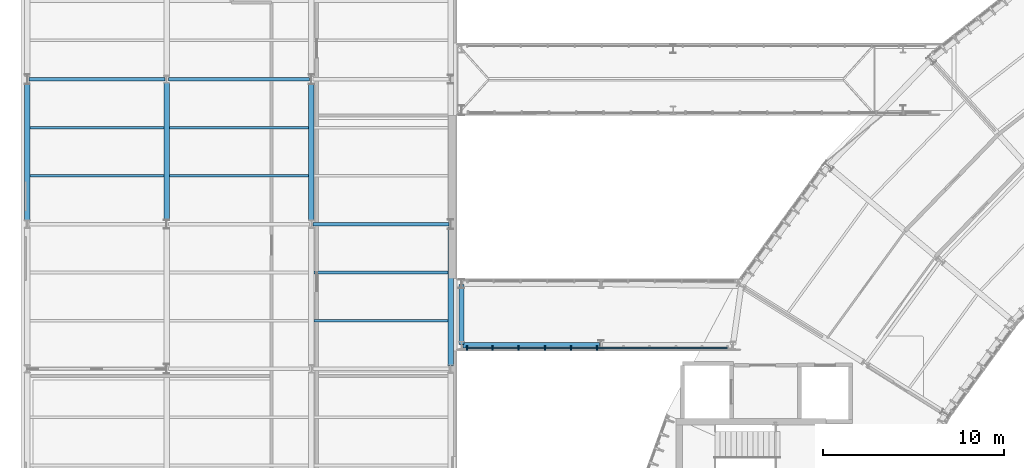
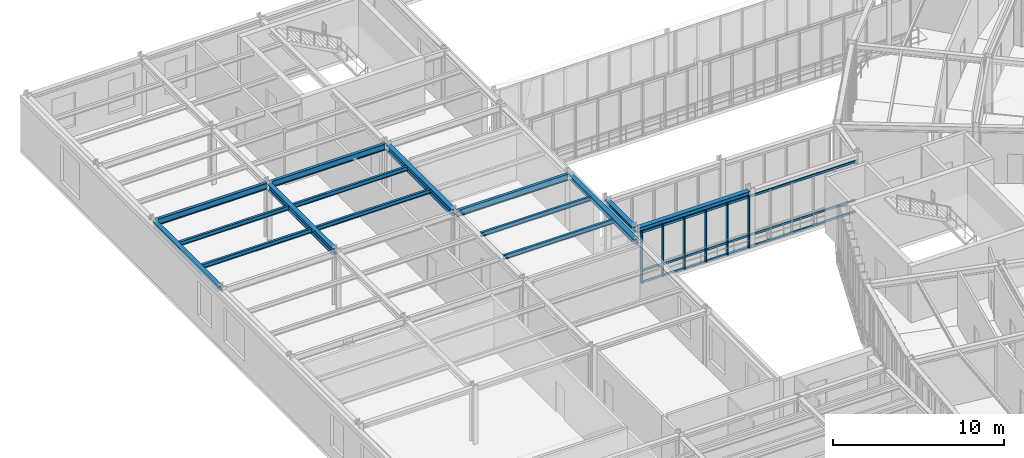
# One storey, part 13 of 57: 15 beams, 9 members, 1 element without a shape of its own.
"""IFC4 building model written with IfcOpenShell, lengths in metres."""

from ifc_helpers import new_model, si_unit, direction, frame, origin, origin_2d, place, context, subcontext, project, spatial, rectangle, i_section, extrude, material, layer, layer_set, material_profile, profile_set, type_object, element, aggregate, save


model = new_model("IFC4")

# Units and contexts
model_context = context("Model", 3, precision=1e-05, world=origin(), true_north=direction((0.0, 1.0)))
body_context = subcontext(model_context, "Body", "Model", "MODEL_VIEW")
ifc_project = project(units=[si_unit("LENGTHUNIT", "METRE"), si_unit("AREAUNIT", "SQUARE_METRE"), si_unit("VOLUMEUNIT", "CUBIC_METRE"), si_unit("PLANEANGLEUNIT", "RADIAN"), si_unit("MASSUNIT", "GRAM", prefix="KILO"), si_unit("THERMODYNAMICTEMPERATUREUNIT", "KELVIN"), si_unit("POWERUNIT", "WATT")], contexts=[model_context])

# Site, building, storey
site_placement = place(None, origin())
site = spatial("IfcSite", under=ifc_project, at=site_placement, CompositionType="ELEMENT")
building_placement = place(site_placement, origin())
building = spatial("IfcBuilding", under=site, at=building_placement, Name="Solvatero Civic Police Headquarters", CompositionType="ELEMENT")
storey_placement = place(building_placement, frame((0.0, 0.0, 9.300048828125)))
storey = spatial("IfcBuildingStorey", under=building, at=storey_placement, Name="L02", CompositionType="ELEMENT", Elevation=9.300048828125)

# Beams
ifc_material_1 = material(Name="Steel S355", Category="steel")
ifc_material_profile_1 = material_profile(ifc_material_1, i_section(OverallWidth=0.300048828125, OverallDepth=0.31005859375, WebThickness=0.009033203125, FlangeThickness=0.015380859375, FilletRadius=0.027099609375, at=origin_2d()), Name="HEA 320")
ifc_profile_set_1 = profile_set([ifc_material_profile_1], Name="Steel S355")
beam_type_1 = type_object("IfcBeamType", Name="BM-ST-HEA320", PredefinedType="SPANDREL", material=ifc_profile_set_1)
for number, where, z_axis, x_axis, name in (
    (1, (4.800048828125, 60.659912109375, 3.844970703125), (0.0, 1.0, 0.0), (-1.0, 0.0, 0.0), "Perimeter / radial spandrel beam BM-R2-L02-V6-GY-1-3"),
    (2, (28.199951171875, 52.659912109375, 3.844970703125), (0.0, 1.0, 0.0), (-1.0, 0.0, 0.0), "Perimeter / radial spandrel beam BM-R2-L02-V6-GY-4-2"),
):
    element("IfcBeam", number, at=place(storey_placement, frame(where, z_axis=z_axis, x_axis=x_axis)), inside=storey, type_object=beam_type_1, Name=name, PredefinedType="SPANDREL", context=body_context, shape_type="SweptSolid", body=[
        extrude(i_section(OverallWidth=0.300048828125, OverallDepth=0.31005859375, WebThickness=0.009033203125, FlangeThickness=0.015380859375, FilletRadius=0.027099609375, at=origin_2d()), origin(), (0.0, 0.0, 1.0), 7.68017578125),
    ])
ifc_material_profile_2 = material_profile(ifc_material_1, i_section(OverallWidth=0.300048828125, OverallDepth=0.389892578125, WebThickness=0.010986328125, FlangeThickness=0.01904296875, FilletRadius=0.027099609375, at=origin_2d()), Name="HEA 400")
ifc_profile_set_2 = profile_set([ifc_material_profile_2], Name="Steel S355")
beam_type_2 = type_object("IfcBeamType", Name="BM-ST-HEA400", PredefinedType="BEAM", material=ifc_profile_set_2)
beam_1_placement = place(storey_placement, frame((28.8798828125, 53.800048828125, 3.7548828125), z_axis=(1.0, 0.0, 0.0), x_axis=(0.0, 1.0, 0.0)))
element("IfcBeam", 3, at=beam_1_placement, inside=storey, type_object=beam_type_2, Name="Primary girder BM-R2-L02-SB1-S-1", PredefinedType="BEAM", context=body_context, shape_type="SweptSolid", body=[
    extrude(i_section(OverallWidth=0.300048828125, OverallDepth=0.389892578125, WebThickness=0.010986328125, FlangeThickness=0.01904296875, FilletRadius=0.027099609375, at=origin_2d()), origin(), (0.0, 0.0, 1.0), 7.5400390625),
])
ifc_material_profile_3 = material_profile(ifc_material_1, i_section(OverallWidth=0.300048828125, OverallDepth=0.43994140625, WebThickness=0.011474609375, FlangeThickness=0.02099609375, FilletRadius=0.027099609375, at=origin_2d()), Name="HEA 450")
ifc_profile_set_3 = profile_set([ifc_material_profile_3], Name="Steel S355")
beam_type_3 = type_object("IfcBeamType", Name="BM-ST-HEA450", PredefinedType="BEAM", material=ifc_profile_set_3)
for number, where, z_axis, x_axis, name in (
    (4, (12.5, 60.659912109375, 3.780029296875), (0.0, 1.0, 0.0), (-1.0, 0.0, 0.0), "Primary girder BM-R2-L02-V6-GY-2-3"),
    (5, (20.5, 60.659912109375, 3.780029296875), (0.0, 1.0, 0.0), (-1.0, 0.0, 0.0), "Primary girder BM-R2-L02-V6-GY-3-3"),
):
    element("IfcBeam", number, at=place(storey_placement, frame(where, z_axis=z_axis, x_axis=x_axis)), inside=storey, type_object=beam_type_3, Name=name, PredefinedType="BEAM", context=body_context, shape_type="SweptSolid", body=[
        extrude(i_section(OverallWidth=0.300048828125, OverallDepth=0.43994140625, WebThickness=0.011474609375, FlangeThickness=0.02099609375, FilletRadius=0.027099609375, at=origin_2d()), origin(), (0.0, 0.0, 1.0), 7.68017578125),
    ])
ifc_material_profile_4 = material_profile(ifc_material_1, i_section(OverallWidth=0.300048828125, OverallDepth=0.39990234375, WebThickness=0.013427734375, FlangeThickness=0.02392578125, FilletRadius=0.027099609375, at=origin_2d()), Name="HEB 400")
ifc_profile_set_4 = profile_set([ifc_material_profile_4], Name="Steel S355")
beam_type_4 = type_object("IfcBeamType", Name="BM-ST-HEB400", PredefinedType="BEAM", material=ifc_profile_set_4)
beam_2_placement = place(storey_placement, frame((28.800048828125, 53.840087890625, 3.75), z_axis=(0.0, 1.0, 0.0), x_axis=(-1.0, 0.0, 0.0)))
element("IfcBeam", 6, at=beam_2_placement, inside=storey, type_object=beam_type_4, Name="Primary girder BM-R2-L02-SB1-SEAT-W", PredefinedType="BEAM", context=body_context, shape_type="SweptSolid", body=[
    extrude(i_section(OverallWidth=0.300048828125, OverallDepth=0.39990234375, WebThickness=0.013427734375, FlangeThickness=0.02392578125, FilletRadius=0.027099609375, at=origin_2d()), origin(), (0.0, 0.0, 1.0), 3.31982421875),
])
ifc_material_profile_5 = material_profile(ifc_material_1, i_section(OverallWidth=0.14990234375, OverallDepth=0.300048828125, WebThickness=0.007080078125, FlangeThickness=0.0107421875, FilletRadius=0.014892578125, at=origin_2d()), Name="IPE 300")
ifc_profile_set_5 = profile_set([ifc_material_profile_5], Name="Steel S355")
beam_type_5 = type_object("IfcBeamType", Name="BM-ST-IPE300", PredefinedType="BEAM", material=ifc_profile_set_5)
for number, where, z_axis, x_axis, name in (
    (7, (4.949951171875, 63.166748046875, 3.849853515625), (1.0, 0.0, 0.0), (0.0, 1.0, 0.0), "Composite floor beam BM-R2-L02-V6-SEC-1-3-S1"),
    (8, (4.949951171875, 65.833251953125, 3.849853515625), (1.0, 0.0, 0.0), (0.0, 1.0, 0.0), "Composite floor beam BM-R2-L02-V6-SEC-1-3-S2"),
):
    element("IfcBeam", number, at=place(storey_placement, frame(where, z_axis=z_axis, x_axis=x_axis)), inside=storey, type_object=beam_type_5, Name=name, PredefinedType="BEAM", context=body_context, shape_type="SweptSolid", body=[
        extrude(i_section(OverallWidth=0.14990234375, OverallDepth=0.300048828125, WebThickness=0.007080078125, FlangeThickness=0.0107421875, FilletRadius=0.014892578125, at=origin_2d()), origin(), (0.0, 0.0, 1.0), 7.400146484375),
    ])
for number, where, z_axis, x_axis, name in (
    (9, (12.64990234375, 63.166748046875, 3.849853515625), (1.0, 0.0, 0.0), (0.0, 1.0, 0.0), "Composite floor beam BM-R2-L02-V6-SEC-2-3-S1"),
    (10, (12.64990234375, 65.833251953125, 3.849853515625), (1.0, 0.0, 0.0), (0.0, 1.0, 0.0), "Composite floor beam BM-R2-L02-V6-SEC-2-3-S2"),
):
    element("IfcBeam", number, at=place(storey_placement, frame(where, z_axis=z_axis, x_axis=x_axis)), inside=storey, type_object=beam_type_5, Name=name, PredefinedType="BEAM", context=body_context, shape_type="SweptSolid", body=[
        extrude(i_section(OverallWidth=0.14990234375, OverallDepth=0.300048828125, WebThickness=0.007080078125, FlangeThickness=0.0107421875, FilletRadius=0.014892578125, at=origin_2d()), origin(), (0.0, 0.0, 1.0), 7.7001953125),
    ])
for number, where, z_axis, x_axis, name in (
    (11, (20.64990234375, 55.166748046875, 3.849853515625), (1.0, 0.0, 0.0), (0.0, 1.0, 0.0), "Composite floor beam BM-R2-L02-V6-SEC-3-2-S1"),
    (12, (20.64990234375, 57.833251953125, 3.849853515625), (1.0, 0.0, 0.0), (0.0, 1.0, 0.0), "Composite floor beam BM-R2-L02-V6-SEC-3-2-S2"),
):
    element("IfcBeam", number, at=place(storey_placement, frame(where, z_axis=z_axis, x_axis=x_axis)), inside=storey, type_object=beam_type_5, Name=name, PredefinedType="BEAM", context=body_context, shape_type="SweptSolid", body=[
        extrude(i_section(OverallWidth=0.14990234375, OverallDepth=0.300048828125, WebThickness=0.007080078125, FlangeThickness=0.0107421875, FilletRadius=0.014892578125, at=origin_2d()), origin(), (0.0, 0.0, 1.0), 7.400146484375),
    ])
ifc_material_profile_6 = material_profile(ifc_material_1, i_section(OverallWidth=0.18994140625, OverallDepth=0.449951171875, WebThickness=0.009521484375, FlangeThickness=0.0146484375, FilletRadius=0.02099609375, at=origin_2d()), Name="IPE 450")
ifc_profile_set_6 = profile_set([ifc_material_profile_6], Name="Steel S355")
beam_type_6 = type_object("IfcBeamType", Name="BM-ST-IPE450", PredefinedType="BEAM", material=ifc_profile_set_6)
for number, where, z_axis, x_axis, name in (
    (13, (20.60009765625, 60.5, 3.77490234375), (1.0, 0.0, 0.0), (0.0, 1.0, 0.0), "Primary girder BM-R2-L02-V6-GX-3-3"),
    (14, (4.89990234375, 68.5, 3.77490234375), (1.0, 0.0, 0.0), (0.0, 1.0, 0.0), "Primary girder BM-R2-L02-V6-GX-1-4"),
):
    element("IfcBeam", number, at=place(storey_placement, frame(where, z_axis=z_axis, x_axis=x_axis)), inside=storey, type_object=beam_type_6, Name=name, PredefinedType="BEAM", context=body_context, shape_type="SweptSolid", body=[
        extrude(i_section(OverallWidth=0.18994140625, OverallDepth=0.449951171875, WebThickness=0.009521484375, FlangeThickness=0.0146484375, FilletRadius=0.02099609375, at=origin_2d()), origin(), (0.0, 0.0, 1.0), 7.5),
    ])
beam_3_placement = place(storey_placement, frame((12.60009765625, 68.5, 3.77490234375), z_axis=(1.0, 0.0, 0.0), x_axis=(0.0, 1.0, 0.0)))
element("IfcBeam", 15, at=beam_3_placement, inside=storey, type_object=beam_type_6, Name="Primary girder BM-R2-L02-V6-GX-2-4", PredefinedType="BEAM", context=body_context, shape_type="SweptSolid", body=[
    extrude(i_section(OverallWidth=0.18994140625, OverallDepth=0.449951171875, WebThickness=0.009521484375, FlangeThickness=0.0146484375, FilletRadius=0.02099609375, at=origin_2d()), origin(), (0.0, 0.0, 1.0), 7.7998046875),
])

# Curtain wall, members
ifc_material_2 = material(Name="Anodized Bronze Aluminium", Category="aluminium")
ifc_layer = layer(ifc_material_2, 0.179931640625)
ifc_layer_set = layer_set([ifc_layer], Name="Anodized Bronze Aluminium")
curtain_wall_type = type_object("IfcCurtainWallType", Name="CW-SB-GLZ", PredefinedType="USERDEFINED", material=ifc_layer_set)
curtain_wall_placement = place(storey_placement, origin())
curtain_wall = element("IfcCurtainWall", 16, at=curtain_wall_placement, inside=storey, type_object=curtain_wall_type, Name="Curtain Wall CW-R2-L02-SB1-S", ObjectType="UNITISED", PredefinedType="USERDEFINED")
ifc_material_profile_7 = material_profile(ifc_material_2, rectangle(XDim=0.080078125, YDim=0.239990234375, at=origin_2d()), Name="ALU MULLION 80x240")
ifc_profile_set_7 = profile_set([ifc_material_profile_7], Name="Anodized Bronze Aluminium")
member_type_1 = type_object("IfcMemberType", Name="CWM-140x60", PredefinedType="MULLION", material=ifc_profile_set_7)
member_1_placement = place(storey_placement, frame((29.095947265625, 53.64990234375, 0.0), z_axis=(0.0, 0.0, 1.0), x_axis=(1.0, 0.0, 0.0)))
member_1 = element("IfcMember", 17, at=member_1_placement, type_object=member_type_1, Name="CW-R2-L02-SB1-S Mullion 1", PredefinedType="MULLION", context=body_context, shape_type="SweptSolid", body=[
    extrude(rectangle(XDim=0.080078125, YDim=0.239990234375, at=origin_2d()), origin(), (0.0, 0.0, 1.0), 3.64990234375),
])
member_2_placement = place(storey_placement, frame((30.5048828125, 53.64990234375, 0.0), z_axis=(0.0, 0.0, 1.0), x_axis=(1.0, 0.0, 0.0)))
member_2 = element("IfcMember", 18, at=member_2_placement, type_object=member_type_1, Name="CW-R2-L02-SB1-S Mullion 2", PredefinedType="MULLION", context=body_context, shape_type="SweptSolid", body=[
    extrude(rectangle(XDim=0.080078125, YDim=0.239990234375, at=origin_2d()), origin(), (0.0, 0.0, 1.0), 3.64990234375),
])
member_3_placement = place(storey_placement, frame((31.95361328125, 53.64990234375, 0.0), z_axis=(0.0, 0.0, 1.0), x_axis=(1.0, 0.0, 0.0)))
member_3 = element("IfcMember", 19, at=member_3_placement, type_object=member_type_1, Name="CW-R2-L02-SB1-S Mullion 3", PredefinedType="MULLION", context=body_context, shape_type="SweptSolid", body=[
    extrude(rectangle(XDim=0.080078125, YDim=0.239990234375, at=origin_2d()), origin(), (0.0, 0.0, 1.0), 3.64990234375),
])
member_4_placement = place(storey_placement, frame((33.40234375, 53.64990234375, 0.0), z_axis=(0.0, 0.0, 1.0), x_axis=(1.0, 0.0, 0.0)))
member_4 = element("IfcMember", 20, at=member_4_placement, type_object=member_type_1, Name="CW-R2-L02-SB1-S Mullion 4", PredefinedType="MULLION", context=body_context, shape_type="SweptSolid", body=[
    extrude(rectangle(XDim=0.080078125, YDim=0.239990234375, at=origin_2d()), origin(), (0.0, 0.0, 1.0), 3.64990234375),
])
member_5_placement = place(storey_placement, frame((34.851318359375, 53.64990234375, 0.0), z_axis=(0.0, 0.0, 1.0), x_axis=(1.0, 0.0, 0.0)))
member_5 = element("IfcMember", 21, at=member_5_placement, type_object=member_type_1, Name="CW-R2-L02-SB1-S Mullion 5", PredefinedType="MULLION", context=body_context, shape_type="SweptSolid", body=[
    extrude(rectangle(XDim=0.080078125, YDim=0.239990234375, at=origin_2d()), origin(), (0.0, 0.0, 1.0), 3.64990234375),
])
member_6_placement = place(storey_placement, frame((36.300048828125, 53.64990234375, 0.0), z_axis=(0.0, 0.0, 1.0), x_axis=(1.0, 0.0, 0.0)))
member_6 = element("IfcMember", 22, at=member_6_placement, type_object=member_type_1, Name="CW-R2-L02-SB1-S Mullion 6", PredefinedType="MULLION", context=body_context, shape_type="SweptSolid", body=[
    extrude(rectangle(XDim=0.080078125, YDim=0.239990234375, at=origin_2d()), origin(), (0.0, 0.0, 1.0), 3.64990234375),
])
ifc_material_profile_8 = material_profile(ifc_material_2, rectangle(XDim=0.070068359375, YDim=0.159912109375, at=origin_2d()), Name="ALU TRANSOM 70x160")
ifc_profile_set_8 = profile_set([ifc_material_profile_8], Name="Anodized Bronze Aluminium")
member_type_2 = type_object("IfcMemberType", Name="CWT-120x55", PredefinedType="USERDEFINED", material=ifc_profile_set_8)
member_7_placement = place(storey_placement, frame((29.10595703125, 53.64990234375, 0.0400390625), z_axis=(1.0, 0.0, 0.0), x_axis=(0.0, 1.0, 0.0)))
member_7 = element("IfcMember", 23, at=member_7_placement, type_object=member_type_2, Name="CW-R2-L02-SB1-S Transom 1", ObjectType="TRANSOM", PredefinedType="USERDEFINED", context=body_context, shape_type="SweptSolid", body=[
    extrude(rectangle(XDim=0.070068359375, YDim=0.159912109375, at=origin_2d()), origin(), (0.0, 0.0, 1.0), 14.387939453125),
])
member_8_placement = place(storey_placement, frame((29.10595703125, 53.64990234375, 0.849853515625), z_axis=(1.0, 0.0, 0.0), x_axis=(0.0, 1.0, 0.0)))
member_8 = element("IfcMember", 24, at=member_8_placement, type_object=member_type_2, Name="CW-R2-L02-SB1-S Transom 2", ObjectType="TRANSOM", PredefinedType="USERDEFINED", context=body_context, shape_type="SweptSolid", body=[
    extrude(rectangle(XDim=0.070068359375, YDim=0.159912109375, at=origin_2d()), origin(), (0.0, 0.0, 1.0), 14.387939453125),
])
member_9_placement = place(storey_placement, frame((29.10595703125, 53.64990234375, 3.60986328125), z_axis=(1.0, 0.0, 0.0), x_axis=(0.0, 1.0, 0.0)))
member_9 = element("IfcMember", 25, at=member_9_placement, type_object=member_type_2, Name="CW-R2-L02-SB1-S Transom 3", ObjectType="TRANSOM", PredefinedType="USERDEFINED", context=body_context, shape_type="SweptSolid", body=[
    extrude(rectangle(XDim=0.070068359375, YDim=0.159912109375, at=origin_2d()), origin(), (0.0, 0.0, 1.0), 14.387939453125),
])
aggregate(curtain_wall, [member_1, member_2, member_3, member_4, member_5, member_6, member_7, member_8, member_9])

save(model, "model.ifc")
